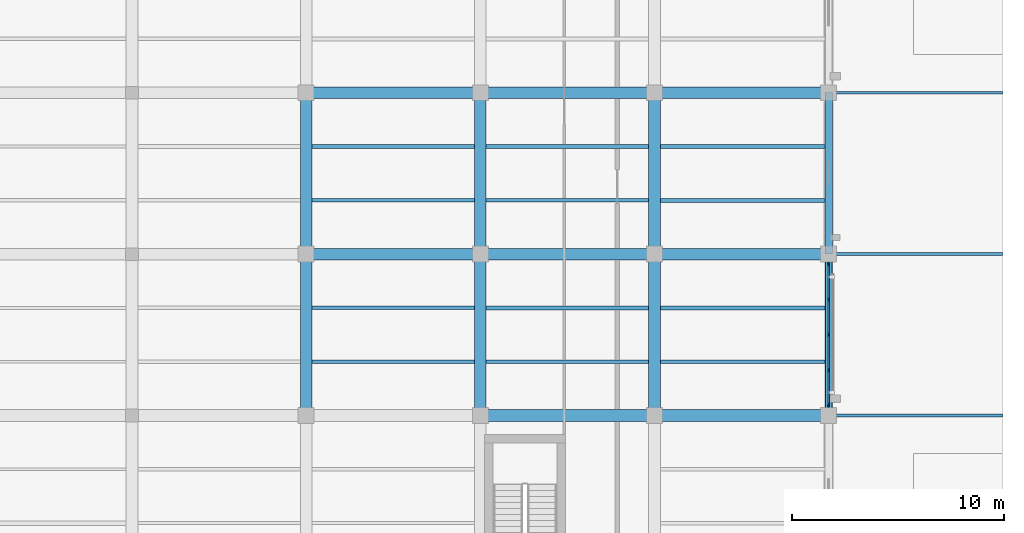
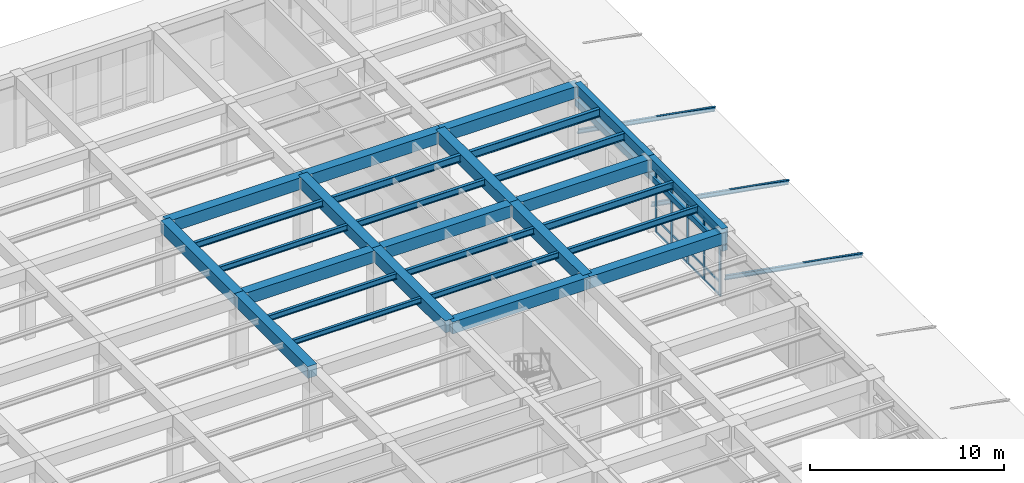
# One storey, part 25 of 57: 30 beams, 20 members, 1 element without a shape of its own.
"""IFC4 building model written with IfcOpenShell, lengths in metres."""

from ifc_helpers import new_model, si_unit, direction, frame, origin, origin_2d, place, context, subcontext, project, spatial, rectangle, i_section, extrude, material, material_profile, profile_set, type_object, element, aggregate, save


model = new_model("IFC4")

# Units and contexts
model_context = context("Model", 3, precision=1e-05, world=origin(), true_north=direction((0.0, 1.0)))
body_context = subcontext(model_context, "Body", "Model", "MODEL_VIEW")
ifc_project = project(units=[si_unit("LENGTHUNIT", "METRE"), si_unit("AREAUNIT", "SQUARE_METRE"), si_unit("VOLUMEUNIT", "CUBIC_METRE"), si_unit("PLANEANGLEUNIT", "RADIAN"), si_unit("MASSUNIT", "GRAM", prefix="KILO")], contexts=[model_context])

# Site, building, storey
site_placement = place(None, origin())
site = spatial("IfcSite", under=ifc_project, at=site_placement, CompositionType="ELEMENT")
building_placement = place(site_placement, origin())
building = spatial("IfcBuilding", under=site, at=building_placement, Name="Qandaris Square Conservatory and Botanical Centre", CompositionType="ELEMENT")
storey_placement = place(building_placement, frame((0.0, 0.0, 5.39990234375)))
storey = spatial("IfcBuildingStorey", under=building, at=storey_placement, Name="L01", CompositionType="ELEMENT", Elevation=5.39990234375)

# Beams
ifc_material_1 = material(Name="Steel S355", Category="steel")
ifc_material_profile_1 = material_profile(ifc_material_1, i_section(OverallWidth=0.18994140625, OverallDepth=0.449951171875, WebThickness=0.009521484375, FlangeThickness=0.0146484375, FilletRadius=0.02099609375, at=origin_2d()), Name="IPE 450")
ifc_profile_set_1 = profile_set([ifc_material_profile_1], Name="Steel S355")
beam_type_1 = type_object("IfcBeamType", Name="Composite Archive Joist IPE 450", PredefinedType="JOIST", material=ifc_profile_set_1)
beam_1_placement = place(storey_placement, frame((147.675048828125, 90.066650390625, 4.28515625), z_axis=(1.0, 0.0, 0.0), x_axis=(0.0, 1.0, 0.0)))
element("IfcBeam", 1, at=beam_1_placement, inside=storey, type_object=beam_type_1, Name="L01 Composite Joist 1264", PredefinedType="JOIST", context=body_context, shape_type="SweptSolid", body=[
    extrude(i_section(OverallWidth=0.18994140625, OverallDepth=0.449951171875, WebThickness=0.009521484375, FlangeThickness=0.0146484375, FilletRadius=0.02099609375, at=origin_2d()), origin(), (0.0, 0.0, 1.0), 7.64990234375),
])
for number, where, z_axis, x_axis, name in (
    (2, (155.875, 82.466796875, 4.28515625), (1.0, 0.0, 0.0), (0.0, 1.0, 0.0), "L01 Composite Joist 1284"),
    (3, (155.875, 87.533203125, 4.28515625), (1.0, 0.0, 0.0), (0.0, 1.0, 0.0), "L01 Composite Joist 1285"),
):
    element("IfcBeam", number, at=place(storey_placement, frame(where, z_axis=z_axis, x_axis=x_axis)), inside=storey, type_object=beam_type_1, Name=name, PredefinedType="JOIST", context=body_context, shape_type="SweptSolid", body=[
        extrude(i_section(OverallWidth=0.18994140625, OverallDepth=0.449951171875, WebThickness=0.009521484375, FlangeThickness=0.0146484375, FilletRadius=0.02099609375, at=origin_2d()), origin(), (0.0, 0.0, 1.0), 7.75),
    ])
ifc_material_profile_2 = material_profile(ifc_material_1, i_section(OverallWidth=0.199951171875, OverallDepth=0.5, WebThickness=0.01025390625, FlangeThickness=0.01611328125, FilletRadius=0.02099609375, at=origin_2d()), Name="IPE 500")
ifc_profile_set_2 = profile_set([ifc_material_profile_2], Name="Steel S355")
beam_type_2 = type_object("IfcBeamType", Name="Composite Gallery Joist IPE 500", PredefinedType="JOIST", material=ifc_profile_set_2)
beam_2_placement = place(storey_placement, frame((155.875, 90.066650390625, 4.260009765625), z_axis=(1.0, 0.0, 0.0), x_axis=(0.0, 1.0, 0.0)))
element("IfcBeam", 4, at=beam_2_placement, inside=storey, type_object=beam_type_2, Name="L01 Composite Joist 1286", PredefinedType="JOIST", context=body_context, shape_type="SweptSolid", body=[
    extrude(i_section(OverallWidth=0.199951171875, OverallDepth=0.5, WebThickness=0.01025390625, FlangeThickness=0.01611328125, FilletRadius=0.02099609375, at=origin_2d()), origin(), (0.0, 0.0, 1.0), 7.75),
])
ifc_material_profile_3 = material_profile(ifc_material_1, i_section(OverallWidth=0.159912109375, OverallDepth=0.330078125, WebThickness=0.007568359375, FlangeThickness=0.011474609375, FilletRadius=0.01806640625, at=origin_2d()), Name="IPE 330")
ifc_profile_set_3 = profile_set([ifc_material_profile_3], Name="Steel S355")
beam_type_3 = type_object("IfcBeamType", Name="Composite Lab Joist IPE 330", PredefinedType="JOIST", material=ifc_profile_set_3)
beam_3_placement = place(storey_placement, frame((139.47509765625, 79.933349609375, 4.34521484375), z_axis=(1.0, 0.0, 0.0), x_axis=(0.0, 1.0, 0.0)))
element("IfcBeam", 5, at=beam_3_placement, inside=storey, type_object=beam_type_3, Name="L01 Composite Joist 1244", PredefinedType="JOIST", context=body_context, shape_type="SweptSolid", body=[
    extrude(i_section(OverallWidth=0.159912109375, OverallDepth=0.330078125, WebThickness=0.007568359375, FlangeThickness=0.011474609375, FilletRadius=0.01806640625, at=origin_2d()), origin(), (0.0, 0.0, 1.0), 7.64990234375),
])
ifc_material_profile_4 = material_profile(ifc_material_1, i_section(OverallWidth=0.169921875, OverallDepth=0.360107421875, WebThickness=0.008056640625, FlangeThickness=0.0126953125, FilletRadius=0.01806640625, at=origin_2d()), Name="IPE 360")
ifc_profile_set_4 = profile_set([ifc_material_profile_4], Name="Steel S355")
beam_type_4 = type_object("IfcBeamType", Name="Composite Lab Joist IPE 360", PredefinedType="JOIST", material=ifc_profile_set_4)
for number, where, z_axis, x_axis, name in (
    (6, (139.47509765625, 82.466796875, 4.330078125), (1.0, 0.0, 0.0), (0.0, 1.0, 0.0), "L01 Composite Joist 1245"),
    (7, (139.47509765625, 87.533203125, 4.330078125), (1.0, 0.0, 0.0), (0.0, 1.0, 0.0), "L01 Composite Joist 1246"),
    (8, (147.675048828125, 79.933349609375, 4.330078125), (1.0, 0.0, 0.0), (0.0, 1.0, 0.0), "L01 Composite Joist 1261"),
):
    element("IfcBeam", number, at=place(storey_placement, frame(where, z_axis=z_axis, x_axis=x_axis)), inside=storey, type_object=beam_type_4, Name=name, PredefinedType="JOIST", context=body_context, shape_type="SweptSolid", body=[
        extrude(i_section(OverallWidth=0.169921875, OverallDepth=0.360107421875, WebThickness=0.008056640625, FlangeThickness=0.0126953125, FilletRadius=0.01806640625, at=origin_2d()), origin(), (0.0, 0.0, 1.0), 7.64990234375),
    ])
ifc_material_profile_5 = material_profile(ifc_material_1, i_section(OverallWidth=0.179931640625, OverallDepth=0.39990234375, WebThickness=0.008544921875, FlangeThickness=0.013427734375, FilletRadius=0.02099609375, at=origin_2d()), Name="IPE 400")
ifc_profile_set_5 = profile_set([ifc_material_profile_5], Name="Steel S355")
beam_type_5 = type_object("IfcBeamType", Name="Composite Plinth Joist IPE 400", PredefinedType="JOIST", material=ifc_profile_set_5)
for number, where, z_axis, x_axis, name in (
    (9, (139.47509765625, 90.066650390625, 4.31005859375), (1.0, 0.0, 0.0), (0.0, 1.0, 0.0), "L01 Composite Joist 1247"),
    (10, (147.675048828125, 82.466796875, 4.31005859375), (1.0, 0.0, 0.0), (0.0, 1.0, 0.0), "L01 Composite Joist 1262"),
    (11, (147.675048828125, 87.533203125, 4.31005859375), (1.0, 0.0, 0.0), (0.0, 1.0, 0.0), "L01 Composite Joist 1263"),
):
    element("IfcBeam", number, at=place(storey_placement, frame(where, z_axis=z_axis, x_axis=x_axis)), inside=storey, type_object=beam_type_5, Name=name, PredefinedType="JOIST", context=body_context, shape_type="SweptSolid", body=[
        extrude(i_section(OverallWidth=0.179931640625, OverallDepth=0.39990234375, WebThickness=0.008544921875, FlangeThickness=0.013427734375, FilletRadius=0.02099609375, at=origin_2d()), origin(), (0.0, 0.0, 1.0), 7.64990234375),
    ])
beam_4_placement = place(storey_placement, frame((155.875, 79.933349609375, 4.31005859375), z_axis=(1.0, 0.0, 0.0), x_axis=(0.0, 1.0, 0.0)))
element("IfcBeam", 12, at=beam_4_placement, inside=storey, type_object=beam_type_5, Name="L01 Composite Joist 1283", PredefinedType="JOIST", context=body_context, shape_type="SweptSolid", body=[
    extrude(i_section(OverallWidth=0.179931640625, OverallDepth=0.39990234375, WebThickness=0.008544921875, FlangeThickness=0.013427734375, FilletRadius=0.02099609375, at=origin_2d()), origin(), (0.0, 0.0, 1.0), 7.75),
])

# Curtain wall, members
ifc_material_2 = material(Name="Anodised Aluminium", Category="aluminium")
curtain_wall_type = type_object("IfcCurtainWallType", Name="Unitised Curtain Wall CW-4-665x394", PredefinedType="USERDEFINED", material=ifc_material_2)
curtain_wall_placement = place(storey_placement, origin())
curtain_wall = element("IfcCurtainWall", 13, at=curtain_wall_placement, inside=storey, type_object=curtain_wall_type, Name="Curtain Wall CW-TWR-L01-2-9", ObjectType="GLAZED CURTAIN WALL", PredefinedType="USERDEFINED")
ifc_material_profile_6 = material_profile(ifc_material_2, rectangle(XDim=0.06494140625, YDim=0.179931640625, at=origin_2d()), Name="ALU-MUL 65x180")
ifc_profile_set_6 = profile_set([ifc_material_profile_6], Name="Anodised Aluminium")
member_type_1 = type_object("IfcMemberType", Name="Curtain Wall Mullion 65x180", PredefinedType="MULLION", material=ifc_profile_set_6)
member_1_placement = place(storey_placement, frame((163.800048828125, 77.907470703125, 0.0), z_axis=(0.0, 0.0, 1.0), x_axis=(-1.0, 0.0, 0.0)))
member_1 = element("IfcMember", 14, at=member_1_placement, type_object=member_type_1, Name="CW-4-665x394 mullion 1", PredefinedType="MULLION", context=body_context, shape_type="SweptSolid", body=[
    extrude(rectangle(XDim=0.06494140625, YDim=0.179931640625, at=origin_2d()), origin(), (0.0, 0.0, 1.0), 3.945068359375),
])
member_2_placement = place(storey_placement, frame((163.800048828125, 79.53759765625, 0.0), z_axis=(0.0, 0.0, 1.0), x_axis=(-1.0, 0.0, 0.0)))
member_2 = element("IfcMember", 15, at=member_2_placement, type_object=member_type_1, Name="CW-4-665x394 mullion 2", PredefinedType="MULLION", context=body_context, shape_type="SweptSolid", body=[
    extrude(rectangle(XDim=0.06494140625, YDim=0.179931640625, at=origin_2d()), origin(), (0.0, 0.0, 1.0), 3.945068359375),
])
member_3_placement = place(storey_placement, frame((163.800048828125, 81.199951171875, 0.0), z_axis=(0.0, 0.0, 1.0), x_axis=(-1.0, 0.0, 0.0)))
member_3 = element("IfcMember", 16, at=member_3_placement, type_object=member_type_1, Name="CW-4-665x394 mullion 3", PredefinedType="MULLION", context=body_context, shape_type="SweptSolid", body=[
    extrude(rectangle(XDim=0.06494140625, YDim=0.179931640625, at=origin_2d()), origin(), (0.0, 0.0, 1.0), 3.945068359375),
])
member_4_placement = place(storey_placement, frame((163.800048828125, 82.862548828125, 0.0), z_axis=(0.0, 0.0, 1.0), x_axis=(-1.0, 0.0, 0.0)))
member_4 = element("IfcMember", 17, at=member_4_placement, type_object=member_type_1, Name="CW-4-665x394 mullion 4", PredefinedType="MULLION", context=body_context, shape_type="SweptSolid", body=[
    extrude(rectangle(XDim=0.06494140625, YDim=0.179931640625, at=origin_2d()), origin(), (0.0, 0.0, 1.0), 3.945068359375),
])
member_5_placement = place(storey_placement, frame((163.800048828125, 84.492431640625, 0.0), z_axis=(0.0, 0.0, 1.0), x_axis=(-1.0, 0.0, 0.0)))
member_5 = element("IfcMember", 18, at=member_5_placement, type_object=member_type_1, Name="CW-4-665x394 mullion 5", PredefinedType="MULLION", context=body_context, shape_type="SweptSolid", body=[
    extrude(rectangle(XDim=0.06494140625, YDim=0.179931640625, at=origin_2d()), origin(), (0.0, 0.0, 1.0), 3.945068359375),
])
ifc_material_profile_7 = material_profile(ifc_material_2, rectangle(XDim=0.06494140625, YDim=0.139892578125, at=origin_2d()), Name="ALU-TRN 65x140")
ifc_profile_set_7 = profile_set([ifc_material_profile_7], Name="Anodised Aluminium")
member_type_2 = type_object("IfcMemberType", Name="Curtain Wall Transom 65x140", PredefinedType="USERDEFINED", material=ifc_profile_set_7)
member_6_placement = place(storey_placement, frame((163.800048828125, 77.93994140625, 0.03271484375), z_axis=(0.0, 1.0, 0.0), x_axis=(-1.0, 0.0, 0.0)))
member_6 = element("IfcMember", 19, at=member_6_placement, type_object=member_type_2, Name="CW-4-665x394 transom 1.1", ObjectType="TRANSOM", PredefinedType="USERDEFINED", context=body_context, shape_type="SweptSolid", body=[
    extrude(rectangle(XDim=0.06494140625, YDim=0.139892578125, at=origin_2d()), origin(), (0.0, 0.0, 1.0), 1.56494140625),
])
member_7_placement = place(storey_placement, frame((163.800048828125, 77.93994140625, 0.85009765625), z_axis=(0.0, 1.0, 0.0), x_axis=(-1.0, 0.0, 0.0)))
member_7 = element("IfcMember", 20, at=member_7_placement, type_object=member_type_2, Name="CW-4-665x394 transom 1.2", ObjectType="TRANSOM", PredefinedType="USERDEFINED", context=body_context, shape_type="SweptSolid", body=[
    extrude(rectangle(XDim=0.06494140625, YDim=0.139892578125, at=origin_2d()), origin(), (0.0, 0.0, 1.0), 1.56494140625),
])
member_8_placement = place(storey_placement, frame((163.800048828125, 77.93994140625, 3.91259765625), z_axis=(0.0, 1.0, 0.0), x_axis=(-1.0, 0.0, 0.0)))
member_8 = element("IfcMember", 21, at=member_8_placement, type_object=member_type_2, Name="CW-4-665x394 transom 1.3", ObjectType="TRANSOM", PredefinedType="USERDEFINED", context=body_context, shape_type="SweptSolid", body=[
    extrude(rectangle(XDim=0.06494140625, YDim=0.139892578125, at=origin_2d()), origin(), (0.0, 0.0, 1.0), 1.56494140625),
])
member_9_placement = place(storey_placement, frame((163.800048828125, 79.570068359375, 0.03271484375), z_axis=(0.0, 1.0, 0.0), x_axis=(-1.0, 0.0, 0.0)))
member_9 = element("IfcMember", 22, at=member_9_placement, type_object=member_type_2, Name="CW-4-665x394 transom 2.1", ObjectType="TRANSOM", PredefinedType="USERDEFINED", context=body_context, shape_type="SweptSolid", body=[
    extrude(rectangle(XDim=0.06494140625, YDim=0.139892578125, at=origin_2d()), origin(), (0.0, 0.0, 1.0), 1.597412109375),
])
member_10_placement = place(storey_placement, frame((163.800048828125, 79.570068359375, 0.85009765625), z_axis=(0.0, 1.0, 0.0), x_axis=(-1.0, 0.0, 0.0)))
member_10 = element("IfcMember", 23, at=member_10_placement, type_object=member_type_2, Name="CW-4-665x394 transom 2.2", ObjectType="TRANSOM", PredefinedType="USERDEFINED", context=body_context, shape_type="SweptSolid", body=[
    extrude(rectangle(XDim=0.06494140625, YDim=0.139892578125, at=origin_2d()), origin(), (0.0, 0.0, 1.0), 1.597412109375),
])
member_11_placement = place(storey_placement, frame((163.800048828125, 79.570068359375, 3.91259765625), z_axis=(0.0, 1.0, 0.0), x_axis=(-1.0, 0.0, 0.0)))
member_11 = element("IfcMember", 24, at=member_11_placement, type_object=member_type_2, Name="CW-4-665x394 transom 2.3", ObjectType="TRANSOM", PredefinedType="USERDEFINED", context=body_context, shape_type="SweptSolid", body=[
    extrude(rectangle(XDim=0.06494140625, YDim=0.139892578125, at=origin_2d()), origin(), (0.0, 0.0, 1.0), 1.597412109375),
])
member_12_placement = place(storey_placement, frame((163.800048828125, 81.232421875, 0.03271484375), z_axis=(0.0, 1.0, 0.0), x_axis=(-1.0, 0.0, 0.0)))
member_12 = element("IfcMember", 25, at=member_12_placement, type_object=member_type_2, Name="CW-4-665x394 transom 3.1", ObjectType="TRANSOM", PredefinedType="USERDEFINED", context=body_context, shape_type="SweptSolid", body=[
    extrude(rectangle(XDim=0.06494140625, YDim=0.139892578125, at=origin_2d()), origin(), (0.0, 0.0, 1.0), 1.59765625),
])
member_13_placement = place(storey_placement, frame((163.800048828125, 81.232421875, 0.85009765625), z_axis=(0.0, 1.0, 0.0), x_axis=(-1.0, 0.0, 0.0)))
member_13 = element("IfcMember", 26, at=member_13_placement, type_object=member_type_2, Name="CW-4-665x394 transom 3.2", ObjectType="TRANSOM", PredefinedType="USERDEFINED", context=body_context, shape_type="SweptSolid", body=[
    extrude(rectangle(XDim=0.06494140625, YDim=0.139892578125, at=origin_2d()), origin(), (0.0, 0.0, 1.0), 1.59765625),
])
member_14_placement = place(storey_placement, frame((163.800048828125, 81.232421875, 3.91259765625), z_axis=(0.0, 1.0, 0.0), x_axis=(-1.0, 0.0, 0.0)))
member_14 = element("IfcMember", 27, at=member_14_placement, type_object=member_type_2, Name="CW-4-665x394 transom 3.3", ObjectType="TRANSOM", PredefinedType="USERDEFINED", context=body_context, shape_type="SweptSolid", body=[
    extrude(rectangle(XDim=0.06494140625, YDim=0.139892578125, at=origin_2d()), origin(), (0.0, 0.0, 1.0), 1.59765625),
])
member_15_placement = place(storey_placement, frame((163.800048828125, 82.89501953125, 0.03271484375), z_axis=(0.0, 1.0, 0.0), x_axis=(-1.0, 0.0, 0.0)))
member_15 = element("IfcMember", 28, at=member_15_placement, type_object=member_type_2, Name="CW-4-665x394 transom 4.1", ObjectType="TRANSOM", PredefinedType="USERDEFINED", context=body_context, shape_type="SweptSolid", body=[
    extrude(rectangle(XDim=0.06494140625, YDim=0.139892578125, at=origin_2d()), origin(), (0.0, 0.0, 1.0), 1.56494140625),
])
member_16_placement = place(storey_placement, frame((163.800048828125, 82.89501953125, 0.85009765625), z_axis=(0.0, 1.0, 0.0), x_axis=(-1.0, 0.0, 0.0)))
member_16 = element("IfcMember", 29, at=member_16_placement, type_object=member_type_2, Name="CW-4-665x394 transom 4.2", ObjectType="TRANSOM", PredefinedType="USERDEFINED", context=body_context, shape_type="SweptSolid", body=[
    extrude(rectangle(XDim=0.06494140625, YDim=0.139892578125, at=origin_2d()), origin(), (0.0, 0.0, 1.0), 1.56494140625),
])
member_17_placement = place(storey_placement, frame((163.800048828125, 82.89501953125, 3.91259765625), z_axis=(0.0, 1.0, 0.0), x_axis=(-1.0, 0.0, 0.0)))
member_17 = element("IfcMember", 30, at=member_17_placement, type_object=member_type_2, Name="CW-4-665x394 transom 4.3", ObjectType="TRANSOM", PredefinedType="USERDEFINED", context=body_context, shape_type="SweptSolid", body=[
    extrude(rectangle(XDim=0.06494140625, YDim=0.139892578125, at=origin_2d()), origin(), (0.0, 0.0, 1.0), 1.56494140625),
])
aggregate(curtain_wall, [member_1, member_2, member_3, member_4, member_5, member_6, member_7, member_8, member_9, member_10, member_11, member_12, member_13, member_14, member_15, member_16, member_17])

# Beams
ifc_material_3 = material(Name="Precast concrete C40/50", Category="concrete")
ifc_material_profile_8 = material_profile(ifc_material_3, rectangle(XDim=0.300048828125, YDim=0.35009765625, at=origin_2d()), Name="RC-LN 300x350")
ifc_profile_set_8 = profile_set([ifc_material_profile_8], Name="Precast concrete C40/50")
beam_type_6 = type_object("IfcBeamType", Name="Precast Opening Lintel 300x350", PredefinedType="LINTEL", material=ifc_profile_set_8)
beam_5_placement = place(storey_placement, frame((163.800048828125, 77.39990234375, 3.295166015625), z_axis=(0.0, 1.0, 0.0), x_axis=(-1.0, 0.0, 0.0)))
element("IfcBeam", 31, at=beam_5_placement, inside=storey, type_object=beam_type_6, Name="Precast Lintel 022", PredefinedType="LINTEL", context=body_context, shape_type="SweptSolid", body=[
    extrude(rectangle(XDim=0.300048828125, YDim=0.35009765625, at=origin_2d()), origin(), (0.0, 0.0, 1.0), 7.60009765625),
])
ifc_material_profile_9 = material_profile(ifc_material_3, rectangle(XDim=0.35009765625, YDim=0.39990234375, at=origin_2d()), Name="RC-LN 350x400")
ifc_profile_set_9 = profile_set([ifc_material_profile_9], Name="Precast concrete C40/50")
beam_type_7 = type_object("IfcBeamType", Name="Precast Opening Lintel 350x400", PredefinedType="LINTEL", material=ifc_profile_set_9)
beam_6_placement = place(storey_placement, frame((163.800048828125, 85.0, 3.320068359375), z_axis=(0.0, 1.0, 0.0), x_axis=(-1.0, 0.0, 0.0)))
element("IfcBeam", 32, at=beam_6_placement, inside=storey, type_object=beam_type_7, Name="Precast Lintel 023", PredefinedType="LINTEL", context=body_context, shape_type="SweptSolid", body=[
    extrude(rectangle(XDim=0.35009765625, YDim=0.39990234375, at=origin_2d()), origin(), (0.0, 0.0, 1.0), 7.60009765625),
])
ifc_material_4 = material(Name="Concrete C50/60", Category="concrete")
ifc_material_profile_10 = material_profile(ifc_material_4, rectangle(XDim=0.35009765625, YDim=0.60009765625, at=origin_2d()), Name="RC-SP 350x600")
ifc_profile_set_10 = profile_set([ifc_material_profile_10], Name="Concrete C50/60")
beam_type_8 = type_object("IfcBeamType", Name="RC Edge Spandrel Beam 350x600", PredefinedType="SPANDREL", material=ifc_profile_set_10)
for number, where, z_axis, x_axis, name in (
    (33, (163.800048828125, 77.39990234375, 4.2451171875), (0.0, 1.0, 0.0), (-1.0, 0.0, 0.0), "L01 Frame Beam 1151"),
    (34, (163.800048828125, 85.0, 4.2451171875), (0.0, 1.0, 0.0), (-1.0, 0.0, 0.0), "L01 Frame Beam 1152"),
):
    element("IfcBeam", number, at=place(storey_placement, frame(where, z_axis=z_axis, x_axis=x_axis)), inside=storey, type_object=beam_type_8, Name=name, PredefinedType="SPANDREL", context=body_context, shape_type="SweptSolid", body=[
        extrude(rectangle(XDim=0.35009765625, YDim=0.60009765625, at=origin_2d()), origin(), (0.0, 0.0, 1.0), 7.60009765625),
    ])
ifc_material_profile_11 = material_profile(ifc_material_4, rectangle(XDim=0.550048828125, YDim=0.75, at=origin_2d()), Name="RC-BM 550x750")
ifc_profile_set_11 = profile_set([ifc_material_profile_11], Name="Concrete C50/60")
beam_type_9 = type_object("IfcBeamType", Name="RC Plinth Girder 550x750", PredefinedType="BEAM", material=ifc_profile_set_11)
beam_7_placement = place(storey_placement, frame((147.39990234375, 77.39990234375, 4.14501953125), z_axis=(1.0, 0.0, 0.0), x_axis=(0.0, 1.0, 0.0)))
element("IfcBeam", 35, at=beam_7_placement, inside=storey, type_object=beam_type_9, Name="L01 Frame Beam 0975", PredefinedType="BEAM", context=body_context, shape_type="SweptSolid", body=[
    extrude(rectangle(XDim=0.550048828125, YDim=0.75, at=origin_2d()), origin(), (0.0, 0.0, 1.0), 8.2001953125),
])
for number, where, z_axis, x_axis, name in (
    (36, (155.60009765625, 77.39990234375, 4.14501953125), (1.0, 0.0, 0.0), (0.0, 1.0, 0.0), "L01 Frame Beam 0976"),
    (37, (139.199951171875, 85.0, 4.14501953125), (1.0, 0.0, 0.0), (0.0, 1.0, 0.0), "L01 Frame Beam 0980"),
):
    element("IfcBeam", number, at=place(storey_placement, frame(where, z_axis=z_axis, x_axis=x_axis)), inside=storey, type_object=beam_type_9, Name=name, PredefinedType="BEAM", context=body_context, shape_type="SweptSolid", body=[
        extrude(rectangle(XDim=0.550048828125, YDim=0.75, at=origin_2d()), origin(), (0.0, 0.0, 1.0), 8.199951171875),
    ])
beam_8_placement = place(storey_placement, frame((147.39990234375, 85.0, 4.14501953125), z_axis=(1.0, 0.0, 0.0), x_axis=(0.0, 1.0, 0.0)))
element("IfcBeam", 38, at=beam_8_placement, inside=storey, type_object=beam_type_9, Name="L01 Frame Beam 0981", PredefinedType="BEAM", context=body_context, shape_type="SweptSolid", body=[
    extrude(rectangle(XDim=0.550048828125, YDim=0.75, at=origin_2d()), origin(), (0.0, 0.0, 1.0), 8.2001953125),
])
for number, where, z_axis, x_axis, name in (
    (39, (155.60009765625, 85.0, 4.14501953125), (1.0, 0.0, 0.0), (0.0, 1.0, 0.0), "L01 Frame Beam 0982"),
    (40, (139.199951171875, 92.60009765625, 4.14501953125), (1.0, 0.0, 0.0), (0.0, 1.0, 0.0), "L01 Frame Beam 0993"),
):
    element("IfcBeam", number, at=place(storey_placement, frame(where, z_axis=z_axis, x_axis=x_axis)), inside=storey, type_object=beam_type_9, Name=name, PredefinedType="BEAM", context=body_context, shape_type="SweptSolid", body=[
        extrude(rectangle(XDim=0.550048828125, YDim=0.75, at=origin_2d()), origin(), (0.0, 0.0, 1.0), 8.199951171875),
    ])
beam_9_placement = place(storey_placement, frame((147.39990234375, 92.60009765625, 4.14501953125), z_axis=(1.0, 0.0, 0.0), x_axis=(0.0, 1.0, 0.0)))
element("IfcBeam", 41, at=beam_9_placement, inside=storey, type_object=beam_type_9, Name="L01 Frame Beam 0994", PredefinedType="BEAM", context=body_context, shape_type="SweptSolid", body=[
    extrude(rectangle(XDim=0.550048828125, YDim=0.75, at=origin_2d()), origin(), (0.0, 0.0, 1.0), 8.2001953125),
])
beam_10_placement = place(storey_placement, frame((155.60009765625, 92.60009765625, 4.14501953125), z_axis=(1.0, 0.0, 0.0), x_axis=(0.0, 1.0, 0.0)))
element("IfcBeam", 42, at=beam_10_placement, inside=storey, type_object=beam_type_9, Name="L01 Frame Beam 0995", PredefinedType="BEAM", context=body_context, shape_type="SweptSolid", body=[
    extrude(rectangle(XDim=0.550048828125, YDim=0.75, at=origin_2d()), origin(), (0.0, 0.0, 1.0), 8.199951171875),
])
for number, where, z_axis, x_axis, name in (
    (43, (139.199951171875, 77.39990234375, 4.14501953125), (0.0, 1.0, 0.0), (-1.0, 0.0, 0.0), "L01 Frame Beam 1115"),
    (44, (139.199951171875, 85.0, 4.14501953125), (0.0, 1.0, 0.0), (-1.0, 0.0, 0.0), "L01 Frame Beam 1116"),
    (45, (147.39990234375, 77.39990234375, 4.14501953125), (0.0, 1.0, 0.0), (-1.0, 0.0, 0.0), "L01 Frame Beam 1127"),
    (46, (147.39990234375, 85.0, 4.14501953125), (0.0, 1.0, 0.0), (-1.0, 0.0, 0.0), "L01 Frame Beam 1128"),
    (47, (155.60009765625, 77.39990234375, 4.14501953125), (0.0, 1.0, 0.0), (-1.0, 0.0, 0.0), "L01 Frame Beam 1139"),
    (48, (155.60009765625, 85.0, 4.14501953125), (0.0, 1.0, 0.0), (-1.0, 0.0, 0.0), "L01 Frame Beam 1140"),
):
    element("IfcBeam", number, at=place(storey_placement, frame(where, z_axis=z_axis, x_axis=x_axis)), inside=storey, type_object=beam_type_9, Name=name, PredefinedType="BEAM", context=body_context, shape_type="SweptSolid", body=[
        extrude(rectangle(XDim=0.550048828125, YDim=0.75, at=origin_2d()), origin(), (0.0, 0.0, 1.0), 7.60009765625),
    ])

# Members
ifc_material_profile_12 = material_profile(ifc_material_1, i_section(OverallWidth=0.135009765625, OverallDepth=0.27001953125, WebThickness=0.006591796875, FlangeThickness=0.01025390625, FilletRadius=0.014892578125, at=origin_2d()), Name="IPE 270")
ifc_profile_set_12 = profile_set([ifc_material_profile_12], Name="Steel S355")
member_type_3 = type_object("IfcMemberType", Name="Visitor Wing Prairie Rafter IPE 270", PredefinedType="RAFTER", material=ifc_profile_set_12)
for number, where, z_axis, x_axis, name in (
    (49, (172.0, 77.39990234375, 0.0), (-0.984924346364, 0.0, 0.172985640849), (0.0, -1.0, 0.0), "Colonnade East Rafter 051"),
    (50, (172.0, 85.0, 0.0), (-0.984924346364, 0.0, 0.172985640849), (0.0, -1.0, 0.0), "Colonnade East Rafter 053"),
    (51, (172.0, 92.60009765625, 0.0), (-0.984924346364, 0.0, 0.172985640849), (0.0, -1.0, 0.0), "Colonnade East Rafter 055"),
):
    element("IfcMember", number, at=place(storey_placement, frame(where, z_axis=z_axis, x_axis=x_axis)), inside=storey, type_object=member_type_3, Name=name, PredefinedType="RAFTER", context=body_context, shape_type="SweptSolid", body=[
        extrude(i_section(OverallWidth=0.135009765625, OverallDepth=0.27001953125, WebThickness=0.006591796875, FlangeThickness=0.01025390625, FilletRadius=0.014892578125, at=origin_2d()), origin(), (0.0, 0.0, 1.0), 8.325439453125),
    ])

save(model, "model.ifc")
